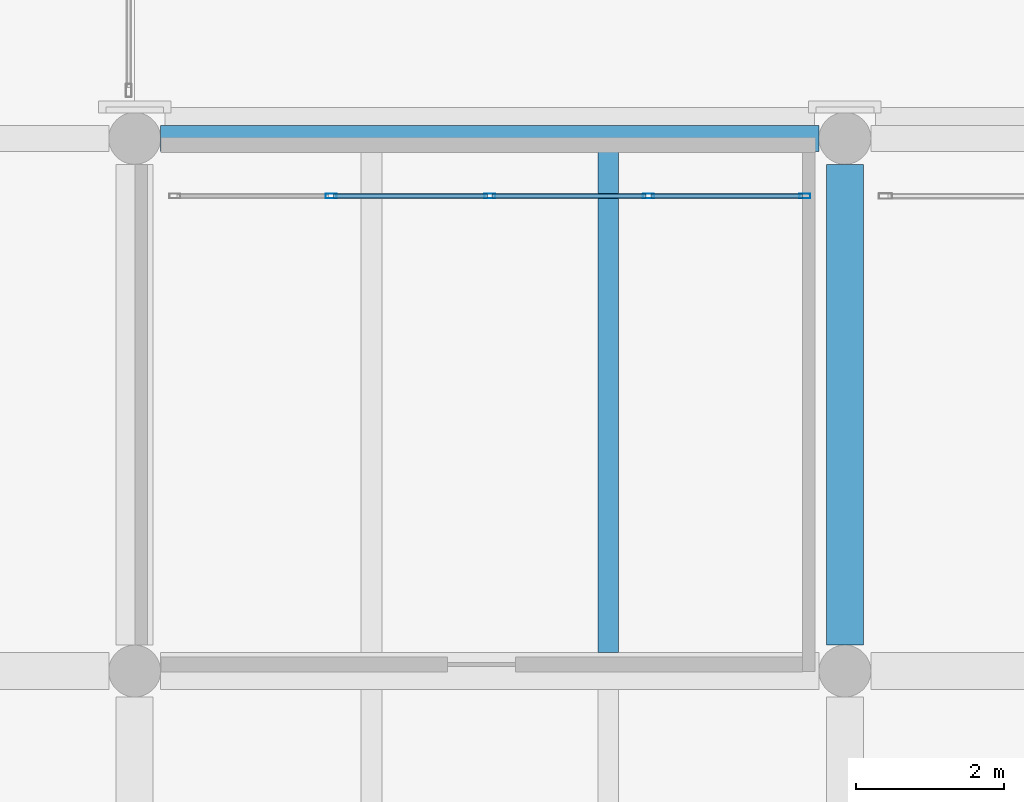
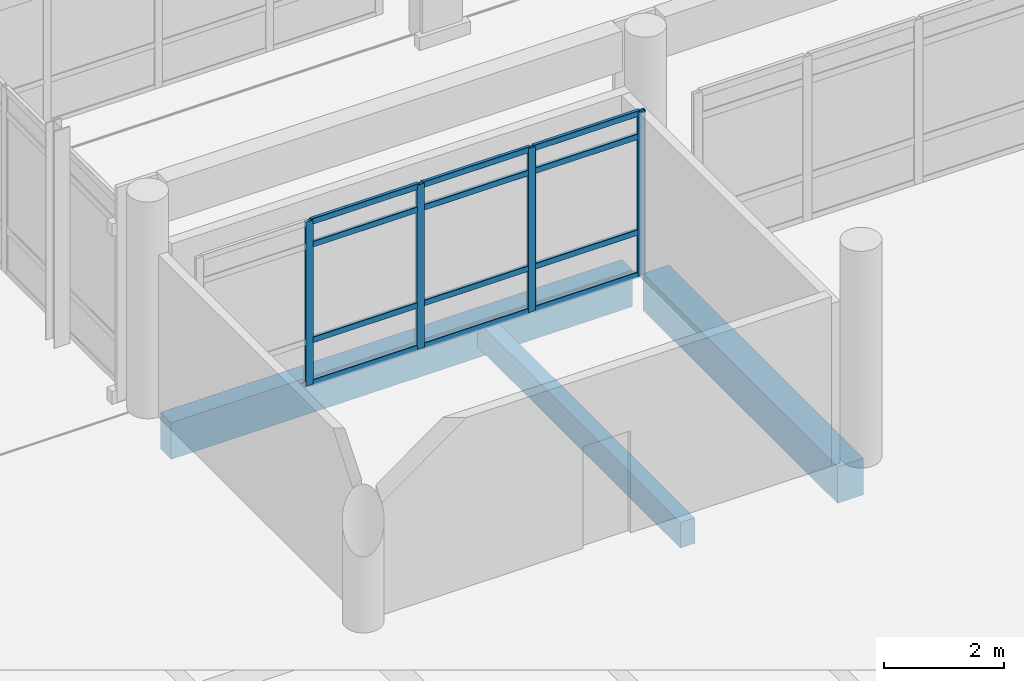
# One storey, part 41 of 196: 16 members, 3 beams, 1 element without a shape of its own.
"""IFC4 building model written with IfcOpenShell, lengths in metres."""

from ifc_helpers import new_model, si_unit, direction, frame, origin, origin_2d, place, context, subcontext, project, spatial, rectangle, hollow_rectangle, extrude, material, layer, layer_set, material_profile, profile_set, type_object, element, aggregate, save


model = new_model("IFC4")

# Units and contexts
model_context = context("Model", 3, precision=1e-05, world=origin(), true_north=direction((0.0, 1.0)))
body_context = subcontext(model_context, "Body", "Model", "MODEL_VIEW")
ifc_project = project(units=[si_unit("LENGTHUNIT", "METRE"), si_unit("AREAUNIT", "SQUARE_METRE"), si_unit("VOLUMEUNIT", "CUBIC_METRE"), si_unit("PLANEANGLEUNIT", "RADIAN"), si_unit("MASSUNIT", "GRAM", prefix="KILO")], contexts=[model_context])

# Site, building, storey
site_placement = place(None, origin())
site = spatial("IfcSite", under=ifc_project, at=site_placement, CompositionType="ELEMENT")
building_placement = place(site_placement, origin())
building = spatial("IfcBuilding", under=site, at=building_placement, Name="Asteropetra Specialist Clinic", CompositionType="ELEMENT")
storey_placement = place(building_placement, origin())
storey = spatial("IfcBuildingStorey", under=building, at=storey_placement, Name="L00", CompositionType="ELEMENT", Elevation=0.0)

# Beam
ifc_material_1 = material(Name="Concrete C35/45", Category="concrete")
ifc_material_profile_1 = material_profile(ifc_material_1, rectangle(XDim=0.5, YDim=0.75, at=origin_2d()), Name="RCB 500x750")
ifc_profile_set_1 = profile_set([ifc_material_profile_1], Name="Concrete C35/45")
beam_type_1 = type_object("IfcBeamType", Name="BM-RC500x750", PredefinedType="BEAM", material=ifc_profile_set_1)
beam_1_placement = place(storey_placement, frame((38.39990234375, 19.550048828125, -0.715087890625), z_axis=(0.0, 1.0, 0.0), x_axis=(-1.0, 0.0, 0.0)))
element("IfcBeam", 1, at=beam_1_placement, inside=storey, type_object=beam_type_1, Name="Beam BBM04-0092", PredefinedType="BEAM", context=body_context, shape_type="SweptSolid", body=[
    extrude(rectangle(XDim=0.5, YDim=0.75, at=origin_2d()), origin(), (0.0, 0.0, 1.0), 6.5),
])

# Curtain wall, members
ifc_material_2 = material(Name="Aluminium and low-E glass", Category="aluminium")
ifc_layer = layer(ifc_material_2, 0.135009765625)
ifc_layer_set = layer_set([ifc_layer], Name="Aluminium and low-E glass")
curtain_wall_type = type_object("IfcCurtainWallType", Name="CW-SYS-09", PredefinedType="USERDEFINED", material=ifc_layer_set)
curtain_wall_placement = place(storey_placement, origin())
curtain_wall = element("IfcCurtainWall", 2, at=curtain_wall_placement, inside=storey, type_object=curtain_wall_type, Name="Curtain Wall CW-124", ObjectType="STICK GLAZED COLONNADE", PredefinedType="USERDEFINED")
ifc_material_3 = material(Name="Aluminium 6063-T6", Category="aluminium")
ifc_material_profile_2 = material_profile(ifc_material_3, hollow_rectangle(XDim=0.06494140625, YDim=0.14990234375, WallThickness=0.00390625, InnerFilletRadius=0.00390625, OuterFilletRadius=0.008056640625, at=origin_2d()), Name="MUL 150x65x4.0")
ifc_profile_set_2 = profile_set([ifc_material_profile_2], Name="Aluminium 6063-T6")
member_type_1 = type_object("IfcMemberType", Name="CWM-150x65", PredefinedType="MULLION", material=ifc_profile_set_2)
member_1_placement = place(storey_placement, frame((37.857421875, 25.6201171875, 0.0), z_axis=(0.0, 0.0, 1.0), x_axis=(0.0, -1.0, 0.0)))
member_1 = element("IfcMember", 3, at=member_1_placement, type_object=member_type_1, Name="CW-124 mullion 1", PredefinedType="MULLION", context=body_context, shape_type="SweptSolid", body=[
    extrude(hollow_rectangle(XDim=0.06494140625, YDim=0.14990234375, WallThickness=0.00390625, InnerFilletRadius=0.00390625, OuterFilletRadius=0.008056640625, at=origin_2d()), origin(), (0.0, 0.0, 1.0), 3.35009765625),
])
member_2_placement = place(storey_placement, frame((35.7451171875, 25.6201171875, 0.0), z_axis=(0.0, 0.0, 1.0), x_axis=(0.0, -1.0, 0.0)))
member_2 = element("IfcMember", 4, at=member_2_placement, type_object=member_type_1, Name="CW-124 mullion 2", PredefinedType="MULLION", context=body_context, shape_type="SweptSolid", body=[
    extrude(hollow_rectangle(XDim=0.06494140625, YDim=0.14990234375, WallThickness=0.00390625, InnerFilletRadius=0.00390625, OuterFilletRadius=0.008056640625, at=origin_2d()), origin(), (0.0, 0.0, 1.0), 3.35009765625),
])
member_3_placement = place(storey_placement, frame((33.60009765625, 25.6201171875, 0.0), z_axis=(0.0, 0.0, 1.0), x_axis=(0.0, -1.0, 0.0)))
member_3 = element("IfcMember", 5, at=member_3_placement, type_object=member_type_1, Name="CW-124 mullion 3", PredefinedType="MULLION", context=body_context, shape_type="SweptSolid", body=[
    extrude(hollow_rectangle(XDim=0.06494140625, YDim=0.14990234375, WallThickness=0.00390625, InnerFilletRadius=0.00390625, OuterFilletRadius=0.008056640625, at=origin_2d()), origin(), (0.0, 0.0, 1.0), 3.35009765625),
])
member_4_placement = place(storey_placement, frame((31.455078125, 25.6201171875, 0.0), z_axis=(0.0, 0.0, 1.0), x_axis=(0.0, -1.0, 0.0)))
member_4 = element("IfcMember", 6, at=member_4_placement, type_object=member_type_1, Name="CW-124 mullion 4", PredefinedType="MULLION", context=body_context, shape_type="SweptSolid", body=[
    extrude(hollow_rectangle(XDim=0.06494140625, YDim=0.14990234375, WallThickness=0.00390625, InnerFilletRadius=0.00390625, OuterFilletRadius=0.008056640625, at=origin_2d()), origin(), (0.0, 0.0, 1.0), 3.35009765625),
])
ifc_material_4 = material(Name="Aluminium 6063-T6", Category="aluminium")
ifc_material_profile_3 = material_profile(ifc_material_4, hollow_rectangle(XDim=0.06494140625, YDim=0.1201171875, WallThickness=0.00390625, InnerFilletRadius=0.00390625, OuterFilletRadius=0.008056640625, at=origin_2d()), Name="TRN 120x65x4.0")
ifc_profile_set_3 = profile_set([ifc_material_profile_3], Name="Aluminium 6063-T6")
member_type_2 = type_object("IfcMemberType", Name="CWT-120x65", PredefinedType="USERDEFINED", material=ifc_profile_set_3)
member_5_placement = place(storey_placement, frame((37.824951171875, 25.6201171875, 0.032470703125), z_axis=(-1.0, 0.0, 0.0), x_axis=(0.0, -1.0, 0.0)))
member_5 = element("IfcMember", 7, at=member_5_placement, type_object=member_type_2, Name="CW-124 transom 1.1", ObjectType="TRANSOM", PredefinedType="USERDEFINED", context=body_context, shape_type="SweptSolid", body=[
    extrude(hollow_rectangle(XDim=0.06494140625, YDim=0.1201171875, WallThickness=0.00390625, InnerFilletRadius=0.00390625, OuterFilletRadius=0.008056640625, at=origin_2d()), origin(), (0.0, 0.0, 1.0), 2.04736328125),
])
member_6_placement = place(storey_placement, frame((37.824951171875, 25.6201171875, 0.89990234375), z_axis=(-1.0, 0.0, 0.0), x_axis=(0.0, -1.0, 0.0)))
member_6 = element("IfcMember", 8, at=member_6_placement, type_object=member_type_2, Name="CW-124 transom 1.2", ObjectType="TRANSOM", PredefinedType="USERDEFINED", context=body_context, shape_type="SweptSolid", body=[
    extrude(hollow_rectangle(XDim=0.06494140625, YDim=0.1201171875, WallThickness=0.00390625, InnerFilletRadius=0.00390625, OuterFilletRadius=0.008056640625, at=origin_2d()), origin(), (0.0, 0.0, 1.0), 2.04736328125),
])
member_7_placement = place(storey_placement, frame((37.824951171875, 25.6201171875, 2.85009765625), z_axis=(-1.0, 0.0, 0.0), x_axis=(0.0, -1.0, 0.0)))
member_7 = element("IfcMember", 9, at=member_7_placement, type_object=member_type_2, Name="CW-124 transom 1.3", ObjectType="TRANSOM", PredefinedType="USERDEFINED", context=body_context, shape_type="SweptSolid", body=[
    extrude(hollow_rectangle(XDim=0.06494140625, YDim=0.1201171875, WallThickness=0.00390625, InnerFilletRadius=0.00390625, OuterFilletRadius=0.008056640625, at=origin_2d()), origin(), (0.0, 0.0, 1.0), 2.04736328125),
])
member_8_placement = place(storey_placement, frame((37.824951171875, 25.6201171875, 3.3173828125), z_axis=(-1.0, 0.0, 0.0), x_axis=(0.0, -1.0, 0.0)))
member_8 = element("IfcMember", 10, at=member_8_placement, type_object=member_type_2, Name="CW-124 transom 1.4", ObjectType="TRANSOM", PredefinedType="USERDEFINED", context=body_context, shape_type="SweptSolid", body=[
    extrude(hollow_rectangle(XDim=0.06494140625, YDim=0.1201171875, WallThickness=0.00390625, InnerFilletRadius=0.00390625, OuterFilletRadius=0.008056640625, at=origin_2d()), origin(), (0.0, 0.0, 1.0), 2.04736328125),
])
member_9_placement = place(storey_placement, frame((35.71240234375, 25.6201171875, 0.032470703125), z_axis=(-1.0, 0.0, 0.0), x_axis=(0.0, -1.0, 0.0)))
member_9 = element("IfcMember", 11, at=member_9_placement, type_object=member_type_2, Name="CW-124 transom 2.1", ObjectType="TRANSOM", PredefinedType="USERDEFINED", context=body_context, shape_type="SweptSolid", body=[
    extrude(hollow_rectangle(XDim=0.06494140625, YDim=0.1201171875, WallThickness=0.00390625, InnerFilletRadius=0.00390625, OuterFilletRadius=0.008056640625, at=origin_2d()), origin(), (0.0, 0.0, 1.0), 2.079833984375),
])
member_10_placement = place(storey_placement, frame((35.71240234375, 25.6201171875, 0.89990234375), z_axis=(-1.0, 0.0, 0.0), x_axis=(0.0, -1.0, 0.0)))
member_10 = element("IfcMember", 12, at=member_10_placement, type_object=member_type_2, Name="CW-124 transom 2.2", ObjectType="TRANSOM", PredefinedType="USERDEFINED", context=body_context, shape_type="SweptSolid", body=[
    extrude(hollow_rectangle(XDim=0.06494140625, YDim=0.1201171875, WallThickness=0.00390625, InnerFilletRadius=0.00390625, OuterFilletRadius=0.008056640625, at=origin_2d()), origin(), (0.0, 0.0, 1.0), 2.079833984375),
])
member_11_placement = place(storey_placement, frame((35.71240234375, 25.6201171875, 2.85009765625), z_axis=(-1.0, 0.0, 0.0), x_axis=(0.0, -1.0, 0.0)))
member_11 = element("IfcMember", 13, at=member_11_placement, type_object=member_type_2, Name="CW-124 transom 2.3", ObjectType="TRANSOM", PredefinedType="USERDEFINED", context=body_context, shape_type="SweptSolid", body=[
    extrude(hollow_rectangle(XDim=0.06494140625, YDim=0.1201171875, WallThickness=0.00390625, InnerFilletRadius=0.00390625, OuterFilletRadius=0.008056640625, at=origin_2d()), origin(), (0.0, 0.0, 1.0), 2.079833984375),
])
member_12_placement = place(storey_placement, frame((35.71240234375, 25.6201171875, 3.3173828125), z_axis=(-1.0, 0.0, 0.0), x_axis=(0.0, -1.0, 0.0)))
member_12 = element("IfcMember", 14, at=member_12_placement, type_object=member_type_2, Name="CW-124 transom 2.4", ObjectType="TRANSOM", PredefinedType="USERDEFINED", context=body_context, shape_type="SweptSolid", body=[
    extrude(hollow_rectangle(XDim=0.06494140625, YDim=0.1201171875, WallThickness=0.00390625, InnerFilletRadius=0.00390625, OuterFilletRadius=0.008056640625, at=origin_2d()), origin(), (0.0, 0.0, 1.0), 2.079833984375),
])
member_13_placement = place(storey_placement, frame((33.5673828125, 25.6201171875, 0.032470703125), z_axis=(-1.0, 0.0, 0.0), x_axis=(0.0, -1.0, 0.0)))
member_13 = element("IfcMember", 15, at=member_13_placement, type_object=member_type_2, Name="CW-124 transom 3.1", ObjectType="TRANSOM", PredefinedType="USERDEFINED", context=body_context, shape_type="SweptSolid", body=[
    extrude(hollow_rectangle(XDim=0.06494140625, YDim=0.1201171875, WallThickness=0.00390625, InnerFilletRadius=0.00390625, OuterFilletRadius=0.008056640625, at=origin_2d()), origin(), (0.0, 0.0, 1.0), 2.079833984375),
])
member_14_placement = place(storey_placement, frame((33.5673828125, 25.6201171875, 0.89990234375), z_axis=(-1.0, 0.0, 0.0), x_axis=(0.0, -1.0, 0.0)))
member_14 = element("IfcMember", 16, at=member_14_placement, type_object=member_type_2, Name="CW-124 transom 3.2", ObjectType="TRANSOM", PredefinedType="USERDEFINED", context=body_context, shape_type="SweptSolid", body=[
    extrude(hollow_rectangle(XDim=0.06494140625, YDim=0.1201171875, WallThickness=0.00390625, InnerFilletRadius=0.00390625, OuterFilletRadius=0.008056640625, at=origin_2d()), origin(), (0.0, 0.0, 1.0), 2.079833984375),
])
member_15_placement = place(storey_placement, frame((33.5673828125, 25.6201171875, 2.85009765625), z_axis=(-1.0, 0.0, 0.0), x_axis=(0.0, -1.0, 0.0)))
member_15 = element("IfcMember", 17, at=member_15_placement, type_object=member_type_2, Name="CW-124 transom 3.3", ObjectType="TRANSOM", PredefinedType="USERDEFINED", context=body_context, shape_type="SweptSolid", body=[
    extrude(hollow_rectangle(XDim=0.06494140625, YDim=0.1201171875, WallThickness=0.00390625, InnerFilletRadius=0.00390625, OuterFilletRadius=0.008056640625, at=origin_2d()), origin(), (0.0, 0.0, 1.0), 2.079833984375),
])
member_16_placement = place(storey_placement, frame((33.5673828125, 25.6201171875, 3.3173828125), z_axis=(-1.0, 0.0, 0.0), x_axis=(0.0, -1.0, 0.0)))
member_16 = element("IfcMember", 18, at=member_16_placement, type_object=member_type_2, Name="CW-124 transom 3.4", ObjectType="TRANSOM", PredefinedType="USERDEFINED", context=body_context, shape_type="SweptSolid", body=[
    extrude(hollow_rectangle(XDim=0.06494140625, YDim=0.1201171875, WallThickness=0.00390625, InnerFilletRadius=0.00390625, OuterFilletRadius=0.008056640625, at=origin_2d()), origin(), (0.0, 0.0, 1.0), 2.079833984375),
])
aggregate(curtain_wall, [member_1, member_2, member_3, member_4, member_5, member_6, member_7, member_8, member_9, member_10, member_11, member_12, member_13, member_14, member_15, member_16])

# Beams
ifc_material_5 = material(Name="Concrete C35/45", Category="concrete")
ifc_material_profile_4 = material_profile(ifc_material_5, rectangle(XDim=0.280029296875, YDim=0.52001953125, at=origin_2d()), Name="RCJ 280x520")
ifc_profile_set_4 = profile_set([ifc_material_profile_4], Name="Concrete C35/45")
beam_type_2 = type_object("IfcBeamType", Name="JST-RC280x520", PredefinedType="JOIST", material=ifc_profile_set_4)
beam_2_placement = place(storey_placement, frame((35.199951171875, 19.449951171875, -0.60009765625), z_axis=(0.0, 1.0, 0.0), x_axis=(-1.0, 0.0, 0.0)))
element("IfcBeam", 19, at=beam_2_placement, inside=storey, type_object=beam_type_2, Name="Joist JJST01-0100", PredefinedType="JOIST", context=body_context, shape_type="SweptSolid", body=[
    extrude(rectangle(XDim=0.280029296875, YDim=0.52001953125, at=origin_2d()), origin(), (0.0, 0.0, 1.0), 6.775146484375),
])
ifc_material_6 = material(Name="Concrete C35/45", Category="concrete")
ifc_material_profile_5 = material_profile(ifc_material_6, rectangle(XDim=0.35009765625, YDim=0.75, at=origin_2d()), Name="RCS 350x750")
ifc_profile_set_5 = profile_set([ifc_material_profile_5], Name="Concrete C35/45")
beam_type_3 = type_object("IfcBeamType", Name="SPN-RC350x750", PredefinedType="SPANDREL", material=ifc_profile_set_5)
beam_3_placement = place(storey_placement, frame((29.14990234375, 26.39990234375, -0.715087890625), z_axis=(1.0, 0.0, 0.0), x_axis=(0.0, 1.0, 0.0)))
element("IfcBeam", 20, at=beam_3_placement, inside=storey, type_object=beam_type_3, Name="Beam BSPN01-0028", PredefinedType="SPANDREL", context=body_context, shape_type="SweptSolid", body=[
    extrude(rectangle(XDim=0.35009765625, YDim=0.75, at=origin_2d()), origin(), (0.0, 0.0, 1.0), 8.900146484375),
])

save(model, "model.ifc")
